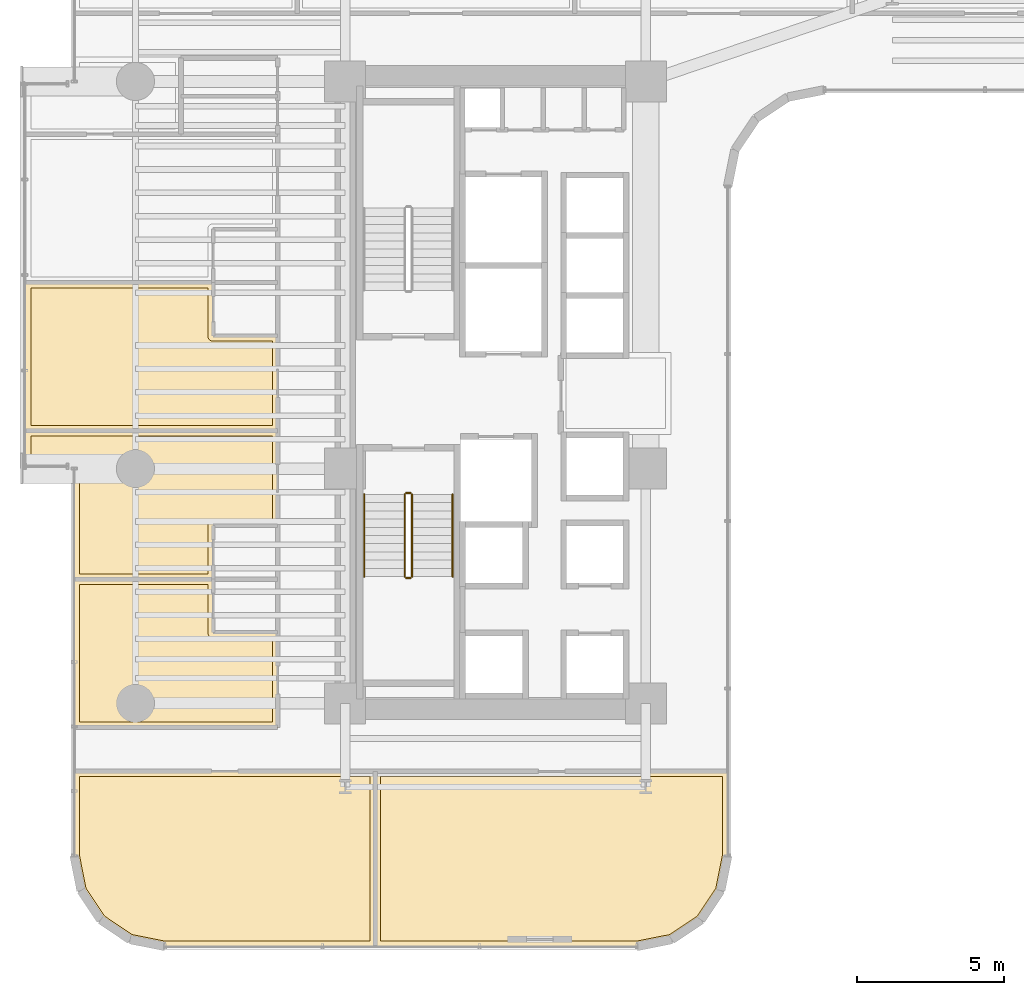
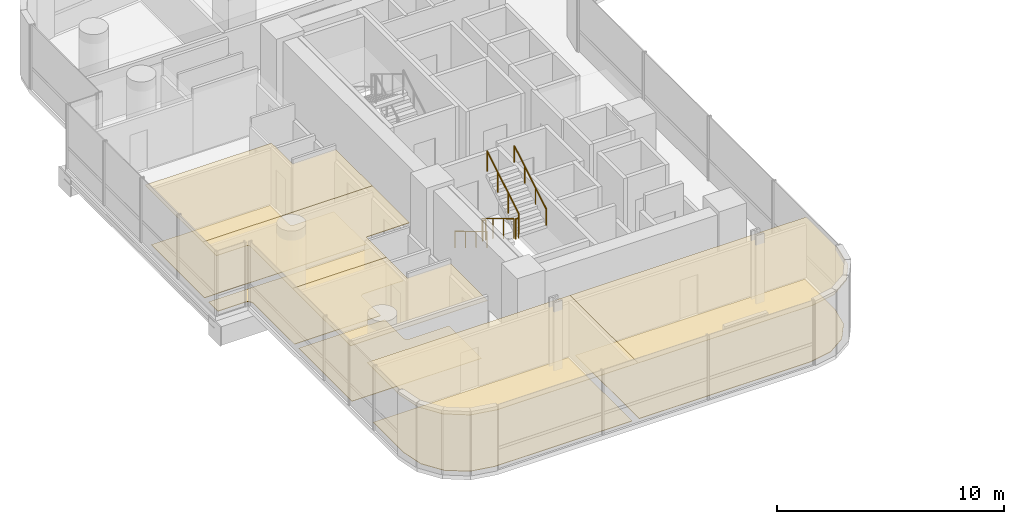
# One storey, part 35 of 39: 10 coverings, 6 railings.
"""IFC4 building model written with IfcOpenShell, lengths in metres."""

from ifc_helpers import new_model, si_unit, direction, frame, origin, origin_2d, place, context, subcontext, project, spatial, polyline, circle, outline, extrude, material, layer, layer_set, type_object, element, save


model = new_model("IFC4")

# Units and contexts
model_context = context("Model", 3, precision=1e-05, world=origin(), true_north=direction((0.0, 1.0)))
body_context = subcontext(model_context, "Body", "Model", "MODEL_VIEW")
ifc_project = project(units=[si_unit("LENGTHUNIT", "METRE"), si_unit("AREAUNIT", "SQUARE_METRE"), si_unit("VOLUMEUNIT", "CUBIC_METRE"), si_unit("PLANEANGLEUNIT", "RADIAN"), si_unit("MASSUNIT", "GRAM", prefix="KILO")], contexts=[model_context])

# Site, building, storey
site_placement = place(None, origin())
site = spatial("IfcSite", under=ifc_project, at=site_placement, CompositionType="ELEMENT")
building_placement = place(site_placement, origin())
building = spatial("IfcBuilding", under=site, at=building_placement, Name="Valdorenza Pilgrim Sanctuary Tower", CompositionType="ELEMENT")
storey_placement = place(building_placement, frame((0.0, 0.0, 77.800048828125)))
storey = spatial("IfcBuildingStorey", under=building, at=storey_placement, Name="L19", CompositionType="ELEMENT", Elevation=77.800048828125)

# Coverings
ifc_material_1 = material(Name="Micro-perforated acoustic mineral ceiling tile", Category="gypsum")
ifc_layer_1 = layer(ifc_material_1, 0.02490234375, Name="Micro-perforated acoustic mineral ceiling tile")
ifc_layer_set_1 = layer_set([ifc_layer_1], Name="Micro-perforated acoustic mineral ceiling tile")
covering_type_1 = type_object("IfcCoveringType", Name="COV-CLG-ACU", PredefinedType="CEILING", material=ifc_layer_set_1)
covering_1_placement = place(storey_placement, frame((0.0, 0.0, 3.159912109375)))
element("IfcCovering", 1, at=covering_1_placement, inside=storey, type_object=covering_type_1, Name="L19 Pilgrim Guest Room L19-W1 Acoustic Ceiling", PredefinedType="CEILING", context=body_context, shape_type="SweptSolid", body=[
    extrude(outline(polyline([(-31.905029296875, -6.364990234375), (-31.90478515625, -6.363525390625), (-31.90478515625, -6.362060546875), (-31.904296875, -6.360595703125), (-31.90380859375, -6.359375), (-31.9033203125, -6.35791015625), (-31.902587890625, -6.356689453125), (-31.901611328125, -6.35546875), (-31.900634765625, -6.3544921875), (-31.8994140625, -6.353515625), (-31.898193359375, -6.3525390625), (-31.897216796875, -6.351806640625), (-31.895751953125, -6.35107421875), (-31.894287109375, -6.3505859375), (-31.892822265625, -6.350341796875), (-31.8916015625, -6.35009765625), (-31.889892578125, -6.35009765625), (-27.152099609375, -6.35009765625), (-27.150390625, -6.35009765625), (-27.149169921875, -6.350341796875), (-27.147705078125, -6.3505859375), (-27.146240234375, -6.35107421875), (-27.14501953125, -6.351806640625), (-27.143798828125, -6.3525390625), (-27.142578125, -6.353515625), (-27.141357421875, -6.3544921875), (-27.140380859375, -6.35546875), (-27.139404296875, -6.356689453125), (-27.138916015625, -6.35791015625), (-27.13818359375, -6.359375), (-27.1376953125, -6.360595703125), (-27.13720703125, -6.362060546875), (-27.13720703125, -6.363525390625), (-27.136962890625, -6.364990234375), (-27.136962890625, -8.172119140625), (-24.949951171875, -8.172119140625), (-24.948486328125, -8.172119140625), (-24.947021484375, -8.17236328125), (-24.945556640625, -8.172607421875), (-24.9443359375, -8.173095703125), (-24.94287109375, -8.173828125), (-24.941650390625, -8.174560546875), (-24.9404296875, -8.17529296875), (-24.939453125, -8.176513671875), (-24.9384765625, -8.177490234375), (-24.9375, -8.1787109375), (-24.936767578125, -8.179931640625), (-24.93603515625, -8.181396484375), (-24.935546875, -8.1826171875), (-24.935302734375, -8.18408203125), (-24.93505859375, -8.185546875), (-24.93505859375, -8.18701171875), (-24.93505859375, -11.419921875), (-24.93505859375, -11.42138671875), (-24.935302734375, -11.4228515625), (-24.935546875, -11.42431640625), (-24.93603515625, -11.42578125), (-24.936767578125, -11.427001953125), (-24.9375, -11.42822265625), (-24.9384765625, -11.429443359375), (-24.939453125, -11.4306640625), (-24.9404296875, -11.431640625), (-24.941650390625, -11.4326171875), (-24.94287109375, -11.43310546875), (-24.9443359375, -11.433837890625), (-24.945556640625, -11.434326171875), (-24.947021484375, -11.434814453125), (-24.948486328125, -11.434814453125), (-24.949951171875, -11.43505859375), (-31.889892578125, -11.43505859375), (-31.8916015625, -11.434814453125), (-31.892822265625, -11.434814453125), (-31.894287109375, -11.434326171875), (-31.895751953125, -11.433837890625), (-31.897216796875, -11.43310546875), (-31.898193359375, -11.4326171875), (-31.8994140625, -11.431640625), (-31.900634765625, -11.4306640625), (-31.901611328125, -11.429443359375), (-31.902587890625, -11.42822265625), (-31.9033203125, -11.427001953125), (-31.90380859375, -11.42578125), (-31.904296875, -11.42431640625), (-31.90478515625, -11.4228515625), (-31.90478515625, -11.42138671875), (-31.905029296875, -11.419921875), (-31.905029296875, -6.364990234375)])), origin(), (0.0, 0.0, 1.0), 0.025146484375),
])
covering_2_placement = place(storey_placement, frame((0.0, 0.0, 3.159912109375)))
element("IfcCovering", 2, at=covering_2_placement, inside=storey, type_object=covering_type_1, Name="L19 Pilgrim Guest Room L19-W2 Acoustic Ceiling", PredefinedType="CEILING", context=body_context, shape_type="SweptSolid", body=[
    extrude(outline(polyline([(-27.136962890625, -4.55810546875), (-27.136962890625, -6.363037109375), (-27.13720703125, -6.364501953125), (-27.13720703125, -6.365966796875), (-27.1376953125, -6.367431640625), (-27.13818359375, -6.36865234375), (-27.138916015625, -6.3701171875), (-27.139404296875, -6.371337890625), (-27.140380859375, -6.37255859375), (-27.141357421875, -6.37353515625), (-27.142578125, -6.37451171875), (-27.143798828125, -6.37548828125), (-27.14501953125, -6.376220703125), (-27.146240234375, -6.376953125), (-27.147705078125, -6.37744140625), (-27.149169921875, -6.377685546875), (-27.150390625, -6.3779296875), (-27.152099609375, -6.3779296875), (-31.889892578125, -6.3779296875), (-31.8916015625, -6.3779296875), (-31.892822265625, -6.377685546875), (-31.894287109375, -6.37744140625), (-31.895751953125, -6.376953125), (-31.897216796875, -6.376220703125), (-31.898193359375, -6.37548828125), (-31.8994140625, -6.37451171875), (-31.900634765625, -6.37353515625), (-31.901611328125, -6.37255859375), (-31.902587890625, -6.371337890625), (-31.9033203125, -6.3701171875), (-31.90380859375, -6.36865234375), (-31.904296875, -6.367431640625), (-31.90478515625, -6.365966796875), (-31.90478515625, -6.364501953125), (-31.905029296875, -6.363037109375), (-31.905029296875, -2.600341796875), (-31.905517578125, -2.5908203125), (-31.90673828125, -2.58154296875), (-31.9091796875, -2.572509765625), (-31.912109375, -2.563720703125), (-31.916259765625, -2.55517578125), (-31.9208984375, -2.547119140625), (-31.926513671875, -2.539794921875), (-31.932861328125, -2.53271484375), (-31.939697265625, -2.526611328125), (-31.947265625, -2.52099609375), (-31.955078125, -2.51611328125), (-31.963623046875, -2.51220703125), (-31.972412109375, -2.509033203125), (-31.9814453125, -2.5068359375), (-31.99072265625, -2.505615234375), (-32.00048828125, -2.5048828125), (-33.5400390625, -2.5048828125), (-33.54150390625, -2.5048828125), (-33.54296875, -2.504638671875), (-33.54443359375, -2.50439453125), (-33.545654296875, -2.50390625), (-33.547119140625, -2.503173828125), (-33.54833984375, -2.50244140625), (-33.549560546875, -2.501708984375), (-33.550537109375, -2.50048828125), (-33.551513671875, -2.49951171875), (-33.552490234375, -2.498291015625), (-33.55322265625, -2.4970703125), (-33.553955078125, -2.49560546875), (-33.554443359375, -2.494384765625), (-33.5546875, -2.492919921875), (-33.554931640625, -2.491455078125), (-33.554931640625, -2.489990234375), (-33.554931640625, -1.31005859375), (-33.554931640625, -1.30859375), (-33.5546875, -1.30712890625), (-33.554443359375, -1.3056640625), (-33.553955078125, -1.30419921875), (-33.55322265625, -1.302978515625), (-33.552490234375, -1.3017578125), (-33.551513671875, -1.300537109375), (-33.550537109375, -1.29931640625), (-33.549560546875, -1.29833984375), (-33.54833984375, -1.297607421875), (-33.547119140625, -1.296875), (-33.545654296875, -1.296142578125), (-33.54443359375, -1.295654296875), (-33.54296875, -1.29541015625), (-33.54150390625, -1.295166015625), (-33.5400390625, -1.294921875), (-24.949951171875, -1.294921875), (-24.948486328125, -1.295166015625), (-24.947021484375, -1.29541015625), (-24.945556640625, -1.295654296875), (-24.9443359375, -1.296142578125), (-24.94287109375, -1.296875), (-24.941650390625, -1.297607421875), (-24.9404296875, -1.29833984375), (-24.939453125, -1.29931640625), (-24.9384765625, -1.300537109375), (-24.9375, -1.3017578125), (-24.936767578125, -1.302978515625), (-24.93603515625, -1.30419921875), (-24.935546875, -1.3056640625), (-24.935302734375, -1.30712890625), (-24.93505859375, -1.30859375), (-24.93505859375, -1.31005859375), (-24.93505859375, -4.54296875), (-24.93505859375, -4.54443359375), (-24.935302734375, -4.5458984375), (-24.935546875, -4.54736328125), (-24.93603515625, -4.548583984375), (-24.936767578125, -4.550048828125), (-24.9375, -4.55126953125), (-24.9384765625, -4.552490234375), (-24.939453125, -4.5537109375), (-24.9404296875, -4.5546875), (-24.941650390625, -4.555419921875), (-24.94287109375, -4.55615234375), (-24.9443359375, -4.556884765625), (-24.945556640625, -4.557373046875), (-24.947021484375, -4.5576171875), (-24.948486328125, -4.557861328125), (-24.949951171875, -4.55810546875), (-27.136962890625, -4.55810546875)])), origin(), (0.0, 0.0, 1.0), 0.025146484375),
])
covering_3_placement = place(storey_placement, frame((0.0, 0.0, 3.159912109375)))
element("IfcCovering", 3, at=covering_3_placement, inside=storey, type_object=covering_type_1, Name="L19 Pilgrim Guest Room L19-W3 Acoustic Ceiling", PredefinedType="CEILING", context=body_context, shape_type="SweptSolid", body=[
    extrude(outline(polyline([(-33.554931640625, 3.7451171875), (-33.554931640625, 3.74658203125), (-33.5546875, 3.747802734375), (-33.554443359375, 3.74951171875), (-33.553955078125, 3.750732421875), (-33.55322265625, 3.752197265625), (-33.552490234375, 3.75341796875), (-33.551513671875, 3.75439453125), (-33.550537109375, 3.755615234375), (-33.549560546875, 3.756591796875), (-33.54833984375, 3.757568359375), (-33.547119140625, 3.75830078125), (-33.545654296875, 3.7587890625), (-33.54443359375, 3.759521484375), (-33.54296875, 3.759765625), (-33.54150390625, 3.760009765625), (-33.5400390625, 3.760009765625), (-27.152099609375, 3.760009765625), (-27.150390625, 3.760009765625), (-27.149169921875, 3.759765625), (-27.147705078125, 3.759521484375), (-27.146240234375, 3.7587890625), (-27.14501953125, 3.75830078125), (-27.143798828125, 3.757568359375), (-27.142578125, 3.756591796875), (-27.141357421875, 3.755615234375), (-27.140380859375, 3.75439453125), (-27.139404296875, 3.75341796875), (-27.138916015625, 3.752197265625), (-27.13818359375, 3.750732421875), (-27.1376953125, 3.74951171875), (-27.13720703125, 3.747802734375), (-27.13720703125, 3.74658203125), (-27.136962890625, 3.7451171875), (-27.136962890625, 1.93798828125), (-24.949951171875, 1.93798828125), (-24.948486328125, 1.93798828125), (-24.947021484375, 1.937744140625), (-24.945556640625, 1.9375), (-24.9443359375, 1.93701171875), (-24.94287109375, 1.936279296875), (-24.941650390625, 1.935546875), (-24.9404296875, 1.9345703125), (-24.939453125, 1.93359375), (-24.9384765625, 1.9326171875), (-24.9375, 1.931396484375), (-24.936767578125, 1.93017578125), (-24.93603515625, 1.9287109375), (-24.935546875, 1.927490234375), (-24.935302734375, 1.92578125), (-24.93505859375, 1.924560546875), (-24.93505859375, 1.923095703125), (-24.93505859375, -1.30810546875), (-24.93505859375, -1.3095703125), (-24.935302734375, -1.310791015625), (-24.935546875, -1.3125), (-24.93603515625, -1.313720703125), (-24.936767578125, -1.315185546875), (-24.9375, -1.31640625), (-24.9384765625, -1.3173828125), (-24.939453125, -1.318603515625), (-24.9404296875, -1.319580078125), (-24.941650390625, -1.320556640625), (-24.94287109375, -1.3212890625), (-24.9443359375, -1.322021484375), (-24.945556640625, -1.322509765625), (-24.947021484375, -1.32275390625), (-24.948486328125, -1.322998046875), (-24.949951171875, -1.322998046875), (-33.5400390625, -1.322998046875), (-33.54150390625, -1.322998046875), (-33.54296875, -1.32275390625), (-33.54443359375, -1.322509765625), (-33.545654296875, -1.322021484375), (-33.547119140625, -1.3212890625), (-33.54833984375, -1.320556640625), (-33.549560546875, -1.319580078125), (-33.550537109375, -1.318603515625), (-33.551513671875, -1.3173828125), (-33.552490234375, -1.31640625), (-33.55322265625, -1.315185546875), (-33.553955078125, -1.313720703125), (-33.554443359375, -1.3125), (-33.5546875, -1.310791015625), (-33.554931640625, -1.3095703125), (-33.554931640625, -1.30810546875), (-33.554931640625, 3.7451171875)])), origin(), (0.0, 0.0, 1.0), 0.025146484375),
])
covering_4_placement = place(storey_placement, frame((0.0, 0.0, 3.159912109375)))
element("IfcCovering", 4, at=covering_4_placement, inside=storey, type_object=covering_type_1, Name="L19 Retreat Discussion Room L19-S1 Acoustic Ceiling", PredefinedType="CEILING", context=body_context, shape_type="SweptSolid", body=[
    extrude(outline(polyline([(-21.60498046875, -18.889892578125), (-21.60498046875, -18.8916015625), (-21.605224609375, -18.892822265625), (-21.605712890625, -18.894287109375), (-21.606201171875, -18.895751953125), (-21.606689453125, -18.897216796875), (-21.607421875, -18.898193359375), (-21.6083984375, -18.8994140625), (-21.609375, -18.900634765625), (-21.610595703125, -18.901611328125), (-21.61181640625, -18.902587890625), (-21.61279296875, -18.9033203125), (-21.6142578125, -18.90380859375), (-21.615478515625, -18.904296875), (-21.6171875, -18.90478515625), (-21.618408203125, -18.90478515625), (-21.6201171875, -18.905029296875), (-28.789306640625, -18.905029296875), (-28.79052734375, -18.90478515625), (-28.7919921875, -18.90478515625), (-29.984619140625, -18.66748046875), (-29.986083984375, -18.6669921875), (-29.9873046875, -18.66650390625), (-29.98876953125, -18.666015625), (-29.989990234375, -18.665283203125), (-30.99169921875, -17.995849609375), (-30.992919921875, -17.9951171875), (-30.993896484375, -17.993896484375), (-30.9951171875, -17.992919921875), (-30.995849609375, -17.99169921875), (-31.665283203125, -16.989990234375), (-31.666015625, -16.98876953125), (-31.66650390625, -16.9873046875), (-31.6669921875, -16.986083984375), (-31.66748046875, -16.984619140625), (-31.90478515625, -15.7919921875), (-31.90478515625, -15.79052734375), (-31.905029296875, -15.789306640625), (-31.905029296875, -12.919921875), (-31.90478515625, -12.91845703125), (-31.90478515625, -12.9169921875), (-31.904296875, -12.91552734375), (-31.90380859375, -12.914306640625), (-31.9033203125, -12.912841796875), (-31.902587890625, -12.91162109375), (-31.901611328125, -12.910400390625), (-31.900634765625, -12.909423828125), (-31.8994140625, -12.908447265625), (-31.898193359375, -12.907470703125), (-31.897216796875, -12.90673828125), (-31.895751953125, -12.906005859375), (-31.894287109375, -12.905517578125), (-31.892822265625, -12.9052734375), (-31.8916015625, -12.905029296875), (-31.889892578125, -12.905029296875), (-21.6201171875, -12.905029296875), (-21.618408203125, -12.905029296875), (-21.6171875, -12.9052734375), (-21.615478515625, -12.905517578125), (-21.6142578125, -12.906005859375), (-21.61279296875, -12.90673828125), (-21.61181640625, -12.907470703125), (-21.610595703125, -12.908447265625), (-21.609375, -12.909423828125), (-21.6083984375, -12.910400390625), (-21.607421875, -12.91162109375), (-21.606689453125, -12.912841796875), (-21.606201171875, -12.914306640625), (-21.605712890625, -12.91552734375), (-21.605224609375, -12.9169921875), (-21.60498046875, -12.91845703125), (-21.60498046875, -12.919921875), (-21.60498046875, -18.889892578125)])), origin(), (0.0, 0.0, 1.0), 0.025146484375),
])
covering_5_placement = place(storey_placement, frame((0.0, 0.0, 3.159912109375)))
element("IfcCovering", 5, at=covering_5_placement, inside=storey, type_object=covering_type_1, Name="L19 Retreat Discussion Room L19-S2 Acoustic Ceiling", PredefinedType="CEILING", context=body_context, shape_type="SweptSolid", body=[
    extrude(outline(polyline([(-9.610107421875, -12.905029296875), (-9.6083984375, -12.905029296875), (-9.607177734375, -12.9052734375), (-9.605712890625, -12.905517578125), (-9.604248046875, -12.906005859375), (-9.602783203125, -12.90673828125), (-9.601806640625, -12.907470703125), (-9.6005859375, -12.908447265625), (-9.599365234375, -12.909423828125), (-9.598388671875, -12.910400390625), (-9.597412109375, -12.91162109375), (-9.5966796875, -12.912841796875), (-9.59619140625, -12.914306640625), (-9.595703125, -12.91552734375), (-9.59521484375, -12.9169921875), (-9.59521484375, -12.91845703125), (-9.594970703125, -12.919921875), (-9.594970703125, -15.789306640625), (-9.59521484375, -15.79052734375), (-9.59521484375, -15.7919921875), (-9.83251953125, -16.984619140625), (-9.8330078125, -16.986083984375), (-9.83349609375, -16.9873046875), (-9.833984375, -16.98876953125), (-9.834716796875, -16.989990234375), (-10.504150390625, -17.99169921875), (-10.5048828125, -17.992919921875), (-10.506103515625, -17.993896484375), (-10.507080078125, -17.9951171875), (-10.50830078125, -17.995849609375), (-11.510009765625, -18.665283203125), (-11.51123046875, -18.666015625), (-11.5126953125, -18.66650390625), (-11.513916015625, -18.6669921875), (-11.515380859375, -18.66748046875), (-12.7080078125, -18.90478515625), (-12.70947265625, -18.90478515625), (-12.710693359375, -18.905029296875), (-21.617919921875, -18.905029296875), (-21.619384765625, -18.90478515625), (-21.620849609375, -18.90478515625), (-21.622314453125, -18.904296875), (-21.623779296875, -18.90380859375), (-21.625, -18.9033203125), (-21.626220703125, -18.902587890625), (-21.62744140625, -18.901611328125), (-21.628662109375, -18.900634765625), (-21.629638671875, -18.8994140625), (-21.630615234375, -18.898193359375), (-21.631103515625, -18.897216796875), (-21.6318359375, -18.895751953125), (-21.63232421875, -18.894287109375), (-21.6328125, -18.892822265625), (-21.6328125, -18.8916015625), (-21.633056640625, -18.889892578125), (-21.633056640625, -12.919921875), (-21.6328125, -12.91845703125), (-21.6328125, -12.9169921875), (-21.63232421875, -12.91552734375), (-21.6318359375, -12.914306640625), (-21.631103515625, -12.912841796875), (-21.630615234375, -12.91162109375), (-21.629638671875, -12.910400390625), (-21.628662109375, -12.909423828125), (-21.62744140625, -12.908447265625), (-21.626220703125, -12.907470703125), (-21.625, -12.90673828125), (-21.623779296875, -12.906005859375), (-21.622314453125, -12.905517578125), (-21.620849609375, -12.9052734375), (-21.619384765625, -12.905029296875), (-21.617919921875, -12.905029296875), (-9.610107421875, -12.905029296875)])), origin(), (0.0, 0.0, 1.0), 0.025146484375),
])
ifc_material_2 = material(Name="Engineered European oak timber flooring", Category="wood")
ifc_layer_2 = layer(ifc_material_2, 0.02197265625, Name="Engineered European oak timber flooring")
ifc_layer_set_2 = layer_set([ifc_layer_2], Name="Engineered European oak timber flooring")
covering_type_2 = type_object("IfcCoveringType", Name="COV-FLR-OAK", PredefinedType="FLOORING", material=ifc_layer_set_2)
covering_6_placement = place(storey_placement, origin())
element("IfcCovering", 6, at=covering_6_placement, inside=storey, type_object=covering_type_2, Name="L19 Pilgrim Guest Room L19-W1 Flooring", PredefinedType="FLOORING", context=body_context, shape_type="SweptSolid", body=[
    extrude(outline(polyline([(-31.7099609375, -6.544921875), (-27.33203125, -6.544921875), (-27.33203125, -8.18505859375), (-27.331787109375, -8.19384765625), (-27.331787109375, -8.194091796875), (-27.330078125, -8.211669921875), (-27.330078125, -8.2119140625), (-27.32666015625, -8.22900390625), (-27.326416015625, -8.229248046875), (-27.3212890625, -8.24609375), (-27.3212890625, -8.246337890625), (-27.314697265625, -8.2626953125), (-27.314453125, -8.262939453125), (-27.30615234375, -8.278564453125), (-27.30615234375, -8.278564453125), (-27.296142578125, -8.293212890625), (-27.296142578125, -8.29345703125), (-27.284912109375, -8.30712890625), (-27.284912109375, -8.307373046875), (-27.272216796875, -8.31982421875), (-27.272216796875, -8.31982421875), (-27.258544921875, -8.3310546875), (-27.25830078125, -8.331298828125), (-27.24365234375, -8.341064453125), (-27.243408203125, -8.34130859375), (-27.227783203125, -8.349609375), (-27.227783203125, -8.349609375), (-27.21142578125, -8.356201171875), (-27.211181640625, -8.3564453125), (-27.1943359375, -8.361572265625), (-27.194091796875, -8.361572265625), (-27.1767578125, -8.364990234375), (-27.176513671875, -8.364990234375), (-27.158935546875, -8.36669921875), (-27.15869140625, -8.36669921875), (-27.14990234375, -8.366943359375), (-25.1298828125, -8.366943359375), (-25.1298828125, -11.239990234375), (-31.7099609375, -11.239990234375), (-31.7099609375, -6.544921875)])), origin(), (0.0, 0.0, 1.0), 0.02490234375),
])
covering_7_placement = place(storey_placement, origin())
element("IfcCovering", 7, at=covering_7_placement, inside=storey, type_object=covering_type_2, Name="L19 Pilgrim Guest Room L19-W2 Flooring", PredefinedType="FLOORING", context=body_context, shape_type="SweptSolid", body=[
    extrude(outline(polyline([(-25.1298828125, -1.489990234375), (-25.1298828125, -4.363037109375), (-27.14990234375, -4.363037109375), (-27.15869140625, -4.36328125), (-27.158935546875, -4.36328125), (-27.176513671875, -4.364990234375), (-27.1767578125, -4.364990234375), (-27.194091796875, -4.368408203125), (-27.1943359375, -4.368408203125), (-27.211181640625, -4.37353515625), (-27.21142578125, -4.373779296875), (-27.227783203125, -4.38037109375), (-27.227783203125, -4.380615234375), (-27.243408203125, -4.388916015625), (-27.24365234375, -4.388916015625), (-27.25830078125, -4.398681640625), (-27.258544921875, -4.39892578125), (-27.272216796875, -4.41015625), (-27.272216796875, -4.41015625), (-27.284912109375, -4.422607421875), (-27.284912109375, -4.4228515625), (-27.296142578125, -4.4365234375), (-27.296142578125, -4.436767578125), (-27.30615234375, -4.451416015625), (-27.30615234375, -4.451416015625), (-27.314453125, -4.467041015625), (-27.314697265625, -4.46728515625), (-27.3212890625, -4.483642578125), (-27.3212890625, -4.48388671875), (-27.326416015625, -4.500732421875), (-27.32666015625, -4.5009765625), (-27.330078125, -4.518310546875), (-27.330078125, -4.518310546875), (-27.331787109375, -4.535888671875), (-27.331787109375, -4.5361328125), (-27.33203125, -4.544921875), (-27.33203125, -6.18310546875), (-31.7099609375, -6.18310546875), (-31.7099609375, -2.60009765625), (-31.710205078125, -2.59130859375), (-31.710693359375, -2.580322265625), (-31.71240234375, -2.562744140625), (-31.714111328125, -2.552001953125), (-31.717529296875, -2.534912109375), (-31.72021484375, -2.5244140625), (-31.725341796875, -2.50732421875), (-31.72900390625, -2.497314453125), (-31.735595703125, -2.48095703125), (-31.740234375, -2.47119140625), (-31.74853515625, -2.45556640625), (-31.754150390625, -2.4462890625), (-31.763916015625, -2.431640625), (-31.7705078125, -2.423095703125), (-31.781494140625, -2.4091796875), (-31.788818359375, -2.4013671875), (-31.80126953125, -2.388916015625), (-31.809326171875, -2.381591796875), (-31.822998046875, -2.370361328125), (-31.831787109375, -2.364013671875), (-31.84619140625, -2.35400390625), (-31.855712890625, -2.3486328125), (-31.87109375, -2.34033203125), (-31.880859375, -2.335693359375), (-31.897216796875, -2.328857421875), (-31.907470703125, -2.3251953125), (-31.92431640625, -2.320068359375), (-31.934814453125, -2.3173828125), (-31.9521484375, -2.314208984375), (-31.962890625, -2.3125), (-31.98046875, -2.310791015625), (-31.9912109375, -2.310302734375), (-32.0, -2.31005859375), (-33.360107421875, -2.31005859375), (-33.360107421875, -1.489990234375), (-25.1298828125, -1.489990234375)])), origin(), (0.0, 0.0, 1.0), 0.02490234375),
])
covering_8_placement = place(storey_placement, origin())
element("IfcCovering", 8, at=covering_8_placement, inside=storey, type_object=covering_type_2, Name="L19 Pilgrim Guest Room L19-W3 Flooring", PredefinedType="FLOORING", context=body_context, shape_type="SweptSolid", body=[
    extrude(outline(polyline([(-33.360107421875, 3.56494140625), (-27.33203125, 3.56494140625), (-27.33203125, 1.925048828125), (-27.331787109375, 1.916259765625), (-27.331787109375, 1.916015625), (-27.330078125, 1.8984375), (-27.330078125, 1.898193359375), (-27.32666015625, 1.880859375), (-27.326416015625, 1.880615234375), (-27.3212890625, 1.86376953125), (-27.3212890625, 1.863525390625), (-27.314697265625, 1.847412109375), (-27.314453125, 1.84716796875), (-27.30615234375, 1.83154296875), (-27.30615234375, 1.831298828125), (-27.296142578125, 1.816650390625), (-27.296142578125, 1.81640625), (-27.284912109375, 1.802978515625), (-27.284912109375, 1.802734375), (-27.272216796875, 1.790283203125), (-27.272216796875, 1.7900390625), (-27.258544921875, 1.77880859375), (-27.25830078125, 1.77880859375), (-27.24365234375, 1.768798828125), (-27.243408203125, 1.768798828125), (-27.227783203125, 1.760498046875), (-27.227783203125, 1.760498046875), (-27.21142578125, 1.753662109375), (-27.211181640625, 1.753662109375), (-27.1943359375, 1.74853515625), (-27.194091796875, 1.748291015625), (-27.1767578125, 1.7451171875), (-27.176513671875, 1.7451171875), (-27.158935546875, 1.7431640625), (-27.15869140625, 1.7431640625), (-27.14990234375, 1.742919921875), (-25.1298828125, 1.742919921875), (-25.1298828125, -1.1279296875), (-33.360107421875, -1.1279296875), (-33.360107421875, 3.56494140625)])), origin(), (0.0, 0.0, 1.0), 0.02490234375),
])
covering_9_placement = place(storey_placement, origin())
element("IfcCovering", 9, at=covering_9_placement, inside=storey, type_object=covering_type_2, Name="L19 Retreat Discussion Room L19-S1 Flooring", PredefinedType="FLOORING", context=body_context, shape_type="SweptSolid", body=[
    extrude(outline(polyline([(-21.800048828125, -18.7099609375), (-28.771484375, -18.7099609375), (-29.911376953125, -18.483154296875), (-30.853515625, -17.853515625), (-31.483154296875, -16.911376953125), (-31.7099609375, -15.771484375), (-31.7099609375, -13.10009765625), (-21.800048828125, -13.10009765625), (-21.800048828125, -18.7099609375)])), origin(), (0.0, 0.0, 1.0), 0.02490234375),
])
covering_10_placement = place(storey_placement, origin())
element("IfcCovering", 10, at=covering_10_placement, inside=storey, type_object=covering_type_2, Name="L19 Retreat Discussion Room L19-S2 Flooring", PredefinedType="FLOORING", context=body_context, shape_type="SweptSolid", body=[
    extrude(outline(polyline([(-9.7900390625, -13.10009765625), (-9.7900390625, -15.771484375), (-10.016845703125, -16.911376953125), (-10.646484375, -17.853515625), (-11.588623046875, -18.483154296875), (-12.728515625, -18.7099609375), (-21.43798828125, -18.7099609375), (-21.43798828125, -13.10009765625), (-9.7900390625, -13.10009765625)])), origin(), (0.0, 0.0, 1.0), 0.02490234375),
])

# Railings
ifc_material_3 = material(Name="Stainless steel Grade 316", Category="steel")
railing_type_1 = type_object("IfcRailingType", Name="RLG-GRD-1120", PredefinedType="GUARDRAIL", material=ifc_material_3)
railing_1_placement = place(storey_placement, frame((-20.6201171875, -3.47998046875, 0.168212890625)))
element("IfcRailing", 11, at=railing_1_placement, inside=storey, type_object=railing_type_1, Name="L19 ST-A2 stair guard 1", PredefinedType="GUARDRAIL", context=body_context, shape_type="SweptSolid", body=[
    extrude(circle(Radius=0.02392578125, at=origin_2d()), frame((0.0, 0.0, 1.076171875), z_axis=(0.0, -0.857275202839, 0.514858452973), x_axis=(1.0, 0.0, 0.0)), (0.0, 0.0, 1.0), 3.26611328125),
    extrude(circle(Radius=0.02099609375, at=origin_2d()), origin(), (0.0, 0.0, 1.0), 1.052001953125),
    extrude(circle(Radius=0.02099609375, at=origin_2d()), frame((0.0, -0.933349609375, 0.560546875)), (0.0, 0.0, 1.0), 1.052001953125),
    extrude(circle(Radius=0.02099609375, at=origin_2d()), frame((0.0, -1.86669921875, 1.12109375)), (0.0, 0.0, 1.0), 1.052001953125),
    extrude(circle(Radius=0.02099609375, at=origin_2d()), frame((0.0, -2.800048828125, 1.681640625)), (0.0, 0.0, 1.0), 1.052001953125),
])
railing_2_placement = place(storey_placement, frame((-20.570068359375, -6.330078125, 1.849853515625)))
element("IfcRailing", 12, at=railing_2_placement, inside=storey, type_object=railing_type_1, Name="L19 ST-A2 stair guard 2", PredefinedType="GUARDRAIL", context=body_context, shape_type="SweptSolid", body=[
    extrude(circle(Radius=0.02392578125, at=origin_2d()), frame((0.0, 0.0, 1.076171875), z_axis=(1.0, 0.0, 0.0), x_axis=(0.0, 1.0, 0.0)), (0.0, 0.0, 1.0), 0.150146484375),
    extrude(circle(Radius=0.02099609375, at=origin_2d()), origin(), (0.0, 0.0, 1.0), 1.052001953125),
    extrude(circle(Radius=0.02099609375, at=origin_2d()), frame((0.150146484375, 0.0, 0.0)), (0.0, 0.0, 1.0), 1.052001953125),
])
railing_3_placement = place(storey_placement, frame((-20.3701171875, -6.280029296875, 2.01806640625)))
element("IfcRailing", 13, at=railing_3_placement, inside=storey, type_object=railing_type_1, Name="L19 ST-A2 stair guard 3", PredefinedType="GUARDRAIL", context=body_context, shape_type="SweptSolid", body=[
    extrude(circle(Radius=0.02392578125, at=origin_2d()), frame((0.0, 0.0, 1.076171875), z_axis=(0.0, 0.857242210791, 0.514913383045), x_axis=(-1.0, 0.0, 0.0)), (0.0, 0.0, 1.0), 3.266357421875),
    extrude(circle(Radius=0.02099609375, at=origin_2d()), origin(), (0.0, 0.0, 1.0), 1.052001953125),
    extrude(circle(Radius=0.02099609375, at=origin_2d()), frame((0.0, 0.933349609375, 0.560546875)), (0.0, 0.0, 1.0), 1.052001953125),
    extrude(circle(Radius=0.02099609375, at=origin_2d()), frame((0.0, 1.86669921875, 1.121337890625)), (0.0, 0.0, 1.0), 1.052001953125),
    extrude(circle(Radius=0.02099609375, at=origin_2d()), frame((0.0, 2.800048828125, 1.681884765625)), (0.0, 0.0, 1.0), 1.052001953125),
])
railing_4_placement = place(storey_placement, frame((-20.570068359375, -3.429931640625, 0.0)))
element("IfcRailing", 14, at=railing_4_placement, inside=storey, type_object=railing_type_1, Name="L19 ST-A2 stair guard 4", PredefinedType="GUARDRAIL", context=body_context, shape_type="SweptSolid", body=[
    extrude(circle(Radius=0.02392578125, at=origin_2d()), frame((0.0, 0.0, 1.076171875), z_axis=(1.0, 0.0, 0.0), x_axis=(0.0, 1.0, 0.0)), (0.0, 0.0, 1.0), 0.150146484375),
    extrude(circle(Radius=0.02099609375, at=origin_2d()), origin(), (0.0, 0.0, 1.0), 1.052001953125),
    extrude(circle(Radius=0.02099609375, at=origin_2d()), frame((0.150146484375, 0.0, 0.0)), (0.0, 0.0, 1.0), 1.052001953125),
])
ifc_material_4 = material(Name="Brushed stainless steel Grade 316", Category="steel")
railing_type_2 = type_object("IfcRailingType", Name="RLG-HND-920", PredefinedType="HANDRAIL", material=ifc_material_4)
railing_5_placement = place(storey_placement, frame((-22.0, -3.47998046875, 0.168212890625)))
element("IfcRailing", 15, at=railing_5_placement, inside=storey, type_object=railing_type_2, Name="L19 ST-A2 stair handrail 1", PredefinedType="HANDRAIL", context=body_context, shape_type="SweptSolid", body=[
    extrude(circle(Radius=0.02392578125, at=origin_2d()), frame((0.0, 0.0, 0.8759765625), z_axis=(0.0, -0.857275202839, 0.514858452973), x_axis=(1.0, 0.0, 0.0)), (0.0, 0.0, 1.0), 3.26611328125),
    extrude(circle(Radius=0.02099609375, at=origin_2d()), origin(), (0.0, 0.0, 1.0), 0.851806640625),
    extrude(circle(Radius=0.02099609375, at=origin_2d()), frame((0.0, -0.933349609375, 0.560546875)), (0.0, 0.0, 1.0), 0.851806640625),
    extrude(circle(Radius=0.02099609375, at=origin_2d()), frame((0.0, -1.86669921875, 1.12109375)), (0.0, 0.0, 1.0), 0.851806640625),
    extrude(circle(Radius=0.02099609375, at=origin_2d()), frame((0.0, -2.800048828125, 1.681640625)), (0.0, 0.0, 1.0), 0.851806640625),
])
railing_6_placement = place(storey_placement, frame((-18.989990234375, -6.280029296875, 2.01806640625)))
element("IfcRailing", 16, at=railing_6_placement, inside=storey, type_object=railing_type_2, Name="L19 ST-A2 stair handrail 2", PredefinedType="HANDRAIL", context=body_context, shape_type="SweptSolid", body=[
    extrude(circle(Radius=0.02392578125, at=origin_2d()), frame((0.0, 0.0, 0.8759765625), z_axis=(0.0, 0.857242210791, 0.514913383045), x_axis=(-1.0, 0.0, 0.0)), (0.0, 0.0, 1.0), 3.266357421875),
    extrude(circle(Radius=0.02099609375, at=origin_2d()), origin(), (0.0, 0.0, 1.0), 0.851806640625),
    extrude(circle(Radius=0.02099609375, at=origin_2d()), frame((0.0, 0.933349609375, 0.560546875)), (0.0, 0.0, 1.0), 0.851806640625),
    extrude(circle(Radius=0.02099609375, at=origin_2d()), frame((0.0, 1.86669921875, 1.121337890625)), (0.0, 0.0, 1.0), 0.851806640625),
    extrude(circle(Radius=0.02099609375, at=origin_2d()), frame((0.0, 2.800048828125, 1.681884765625)), (0.0, 0.0, 1.0), 0.851806640625),
])

save(model, "model.ifc")
